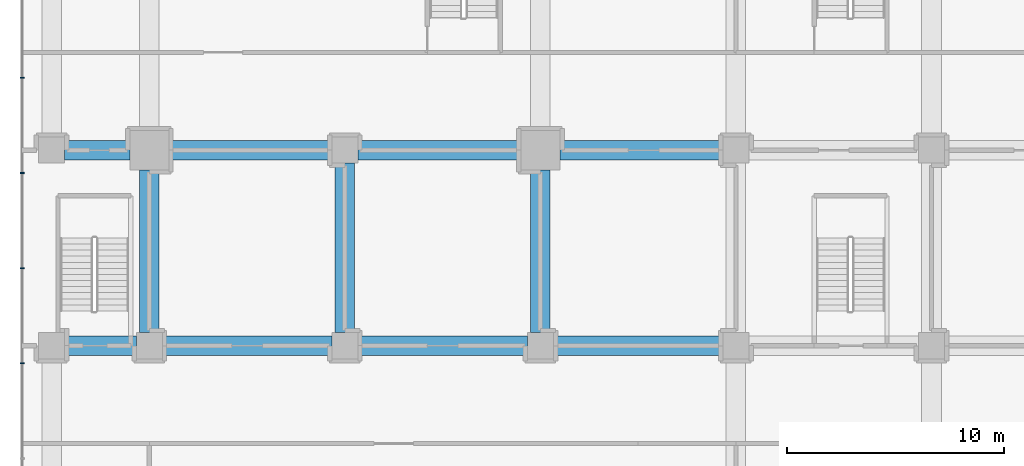
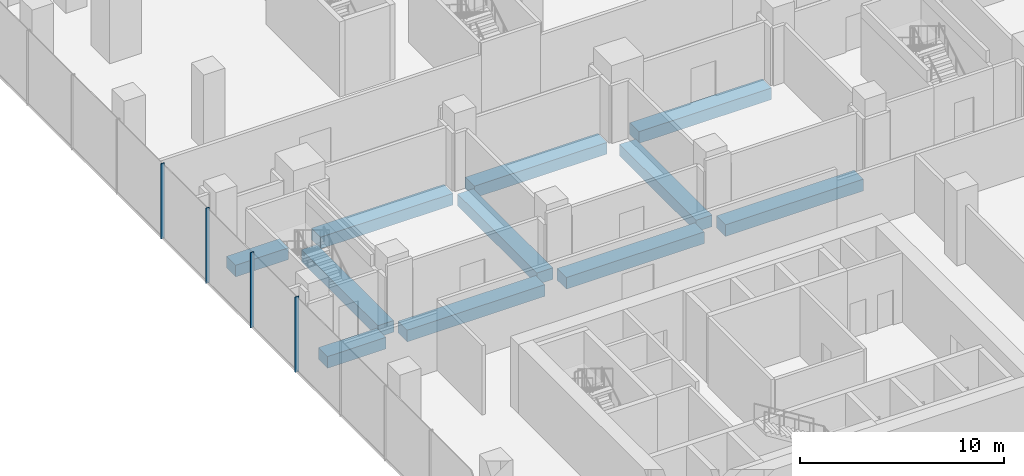
# One storey, part 10 of 43: 11 beams, 4 members, 1 element without a shape of its own.
"""IFC4 building model written with IfcOpenShell, lengths in metres."""

from ifc_helpers import new_model, si_unit, direction, frame, origin, origin_2d, place, context, subcontext, project, spatial, rectangle, extrude, material, layer, layer_set, material_profile, profile_set, type_object, element, aggregate, save


model = new_model("IFC4")

# Units and contexts
model_context = context("Model", 3, precision=1e-05, world=origin(), true_north=direction((0.0, 1.0)))
body_context = subcontext(model_context, "Body", "Model", "MODEL_VIEW")
ifc_project = project(units=[si_unit("LENGTHUNIT", "METRE"), si_unit("AREAUNIT", "SQUARE_METRE"), si_unit("VOLUMEUNIT", "CUBIC_METRE"), si_unit("PLANEANGLEUNIT", "RADIAN"), si_unit("MASSUNIT", "GRAM", prefix="KILO")], contexts=[model_context])

# Site, building, storey
site_placement = place(None, origin())
site = spatial("IfcSite", under=ifc_project, at=site_placement, CompositionType="ELEMENT")
building_placement = place(site_placement, origin())
building = spatial("IfcBuilding", under=site, at=building_placement, Name="Plateau Cross Towers", CompositionType="ELEMENT")
storey_placement = place(building_placement, frame((0.0, 0.0, 12.800048828125)))
storey = spatial("IfcBuildingStorey", under=building, at=storey_placement, Name="L02", CompositionType="ELEMENT", Elevation=12.800048828125)

# Curtain wall, members
ifc_material_1 = material(Name="Dark low-iron laminated glass", Category="glass")
ifc_layer = layer(ifc_material_1, 0.300048828125)
ifc_layer_set = layer_set([ifc_layer], Name="Dark low-iron laminated glass")
curtain_wall_type = type_object("IfcCurtainWallType", Name="Curtain wall structural silicone CW-C", PredefinedType="NOTDEFINED", material=ifc_layer_set)
curtain_wall_placement = place(storey_placement, origin())
curtain_wall = element("IfcCurtainWall", 1, at=curtain_wall_placement, inside=storey, type_object=curtain_wall_type, Name="ENV/P/L02/P-58_568", PredefinedType="NOTDEFINED")
ifc_material_2 = material(Name="Black anodised aluminium", Category="aluminium")
ifc_material_profile_1 = material_profile(ifc_material_2, rectangle(XDim=0.050048828125, YDim=0.199951171875, at=origin_2d()), Name="MULLION 50x200")
ifc_profile_set_1 = profile_set([ifc_material_profile_1], Name="Black anodised aluminium")
member_type = type_object("IfcMemberType", Name="Mullion 50x200 structural silicone", PredefinedType="MULLION", material=ifc_profile_set_1)
member_1_placement = place(storey_placement, frame((-5.85009765625, 39.330078125, -0.35009765625), z_axis=(0.0, 0.0, 1.0), x_axis=(0.0, -1.0, 0.0)))
member_1 = element("IfcMember", 2, at=member_1_placement, type_object=member_type, Name="CW-C mullion 5", PredefinedType="MULLION", context=body_context, shape_type="SweptSolid", body=[
    extrude(rectangle(XDim=0.050048828125, YDim=0.199951171875, at=origin_2d()), origin(), (0.0, 0.0, 1.0), 4.5),
])
member_2_placement = place(storey_placement, frame((-5.85009765625, 34.949951171875, -0.35009765625), z_axis=(0.0, 0.0, 1.0), x_axis=(0.0, -1.0, 0.0)))
member_2 = element("IfcMember", 3, at=member_2_placement, type_object=member_type, Name="CW-C mullion 6", PredefinedType="MULLION", context=body_context, shape_type="SweptSolid", body=[
    extrude(rectangle(XDim=0.050048828125, YDim=0.199951171875, at=origin_2d()), origin(), (0.0, 0.0, 1.0), 4.5),
])
member_3_placement = place(storey_placement, frame((-5.85009765625, 30.570068359375, -0.35009765625), z_axis=(0.0, 0.0, 1.0), x_axis=(0.0, -1.0, 0.0)))
member_3 = element("IfcMember", 4, at=member_3_placement, type_object=member_type, Name="CW-C mullion 7", PredefinedType="MULLION", context=body_context, shape_type="SweptSolid", body=[
    extrude(rectangle(XDim=0.050048828125, YDim=0.199951171875, at=origin_2d()), origin(), (0.0, 0.0, 1.0), 4.5),
])
member_4_placement = place(storey_placement, frame((-5.85009765625, 26.18994140625, -0.35009765625), z_axis=(0.0, 0.0, 1.0), x_axis=(0.0, -1.0, 0.0)))
member_4 = element("IfcMember", 5, at=member_4_placement, type_object=member_type, Name="CW-C mullion 8", PredefinedType="MULLION", context=body_context, shape_type="SweptSolid", body=[
    extrude(rectangle(XDim=0.050048828125, YDim=0.199951171875, at=origin_2d()), origin(), (0.0, 0.0, 1.0), 4.5),
])
aggregate(curtain_wall, [member_1, member_2, member_3, member_4])

# Beams
ifc_material_3 = material(Name="Concrete C50/60", Category="concrete")
ifc_material_profile_2 = material_profile(ifc_material_3, rectangle(XDim=0.89990234375, YDim=0.699951171875, at=origin_2d()), Name="RC 900x700")
ifc_profile_set_2 = profile_set([ifc_material_profile_2], Name="Concrete C50/60")
beam_type = type_object("IfcBeamType", Name="Podium band beam RC 900x700", PredefinedType="BEAM", material=ifc_profile_set_2)
beam_1_placement = place(storey_placement, frame((-3.89990234375, 27.0, -0.699951171875), z_axis=(1.0, 0.0, 0.0), x_axis=(0.0, 1.0, 0.0)))
element("IfcBeam", 6, at=beam_1_placement, inside=storey, type_object=beam_type, Name="PB32@L02", PredefinedType="BEAM", context=body_context, shape_type="SweptSolid", body=[
    extrude(rectangle(XDim=0.89990234375, YDim=0.699951171875, at=origin_2d()), origin(), (0.0, 0.0, 1.0), 3.2998046875),
])
for number, where, z_axis, x_axis, name in (
    (7, (0.60009765625, 27.0, -0.699951171875), (1.0, 0.0, 0.0), (0.0, 1.0, 0.0), "PB33@L02"),
    (8, (9.60009765625, 27.0, -0.699951171875), (1.0, 0.0, 0.0), (0.0, 1.0, 0.0), "PB34@L02"),
    (9, (18.60009765625, 27.0, -0.699951171875), (1.0, 0.0, 0.0), (0.0, 1.0, 0.0), "PB35@L02"),
):
    element("IfcBeam", number, at=place(storey_placement, frame(where, z_axis=z_axis, x_axis=x_axis)), inside=storey, type_object=beam_type, Name=name, PredefinedType="BEAM", context=body_context, shape_type="SweptSolid", body=[
        extrude(rectangle(XDim=0.89990234375, YDim=0.699951171875, at=origin_2d()), origin(), (0.0, 0.0, 1.0), 7.7998046875),
    ])
beam_2_placement = place(storey_placement, frame((-3.89990234375, 36.0, -0.699951171875), z_axis=(1.0, 0.0, 0.0), x_axis=(0.0, 1.0, 0.0)))
element("IfcBeam", 10, at=beam_2_placement, inside=storey, type_object=beam_type, Name="PB45@L02", PredefinedType="BEAM", context=body_context, shape_type="SweptSolid", body=[
    extrude(rectangle(XDim=0.89990234375, YDim=0.699951171875, at=origin_2d()), origin(), (0.0, 0.0, 1.0), 3.0),
])
for number, where, z_axis, x_axis, name in (
    (11, (0.89990234375, 36.0, -0.699951171875), (1.0, 0.0, 0.0), (0.0, 1.0, 0.0), "PB46@L02"),
    (12, (9.60009765625, 36.0, -0.699951171875), (1.0, 0.0, 0.0), (0.0, 1.0, 0.0), "PB47@L02"),
    (13, (18.89990234375, 36.0, -0.699951171875), (1.0, 0.0, 0.0), (0.0, 1.0, 0.0), "PB48@L02"),
    (14, (0.0, 27.60009765625, -0.699951171875), (0.0, 1.0, 0.0), (-1.0, 0.0, 0.0), "PB102@L02"),
):
    element("IfcBeam", number, at=place(storey_placement, frame(where, z_axis=z_axis, x_axis=x_axis)), inside=storey, type_object=beam_type, Name=name, PredefinedType="BEAM", context=body_context, shape_type="SweptSolid", body=[
        extrude(rectangle(XDim=0.89990234375, YDim=0.699951171875, at=origin_2d()), origin(), (0.0, 0.0, 1.0), 7.5),
    ])
beam_3_placement = place(storey_placement, frame((9.0, 27.60009765625, -0.699951171875), z_axis=(0.0, 1.0, 0.0), x_axis=(-1.0, 0.0, 0.0)))
element("IfcBeam", 15, at=beam_3_placement, inside=storey, type_object=beam_type, Name="PB107@L02", PredefinedType="BEAM", context=body_context, shape_type="SweptSolid", body=[
    extrude(rectangle(XDim=0.89990234375, YDim=0.699951171875, at=origin_2d()), origin(), (0.0, 0.0, 1.0), 7.7998046875),
])
beam_4_placement = place(storey_placement, frame((18.0, 27.60009765625, -0.699951171875), z_axis=(0.0, 1.0, 0.0), x_axis=(-1.0, 0.0, 0.0)))
element("IfcBeam", 16, at=beam_4_placement, inside=storey, type_object=beam_type, Name="PB110@L02", PredefinedType="BEAM", context=body_context, shape_type="SweptSolid", body=[
    extrude(rectangle(XDim=0.89990234375, YDim=0.699951171875, at=origin_2d()), origin(), (0.0, 0.0, 1.0), 7.5),
])

save(model, "model.ifc")
